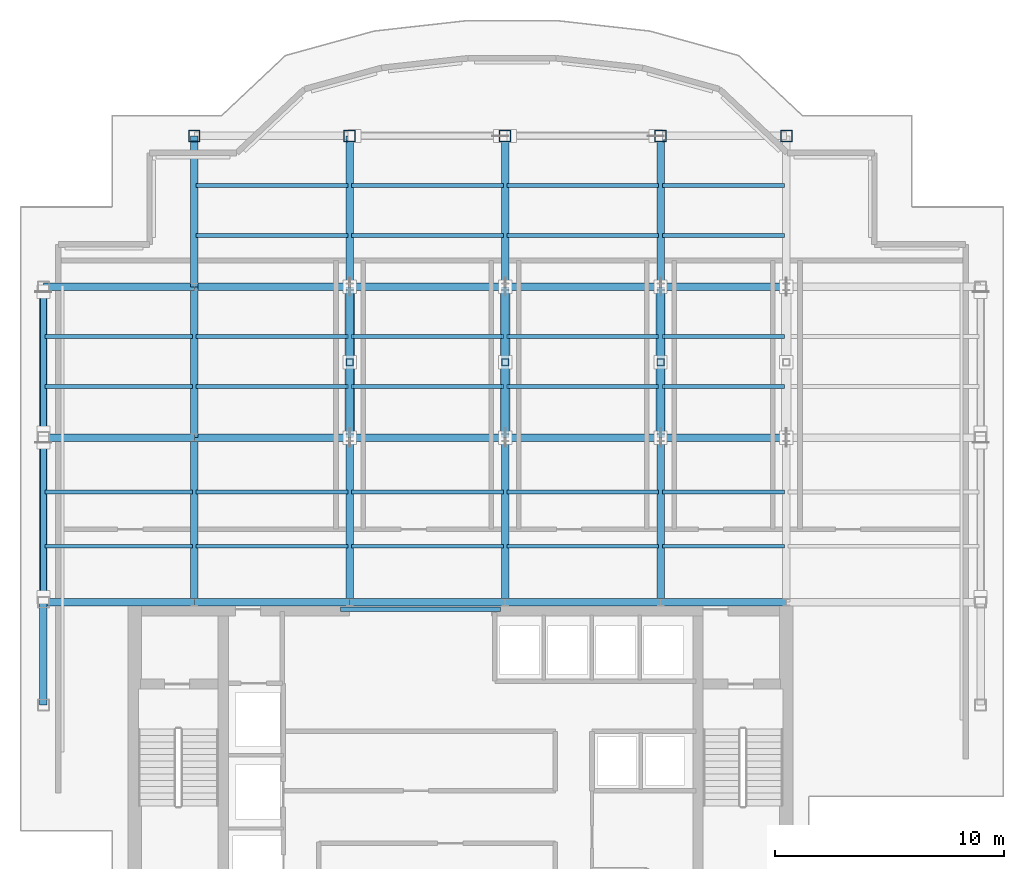
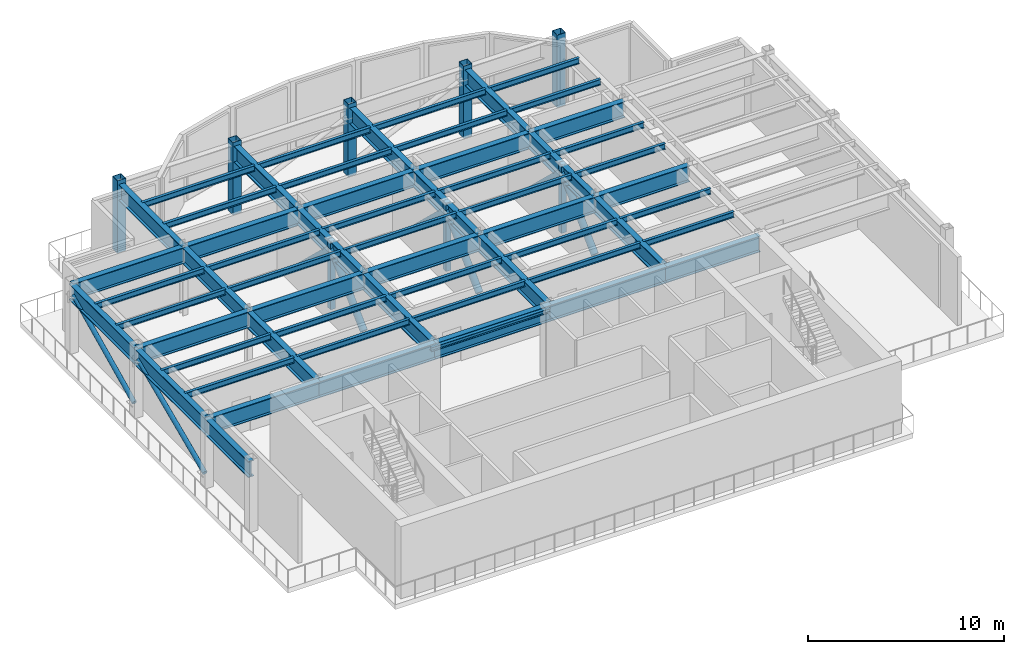
# One storey, part 2 of 7: 59 beams, 11 members, 5 columns.
"""IFC4 building model written with IfcOpenShell, lengths in metres."""

from ifc_helpers import new_model, si_unit, derived_unit, direction, frame, origin, origin_2d, place, context, subcontext, project, spatial, hollow_rectangle, hollow_circle, i_section, extrude, source, transform, mapped, material, material_profile, profile_set, type_object, element, save


model = new_model("IFC4")

# Units and contexts
model_context = context("Model", 3, precision=1e-05, world=origin(), true_north=direction((0.0, 1.0)))
body_context = subcontext(model_context, "Body", "Model", "MODEL_VIEW")
ifc_project = project(units=[si_unit("LENGTHUNIT", "METRE"), si_unit("AREAUNIT", "SQUARE_METRE"), si_unit("VOLUMEUNIT", "CUBIC_METRE"), si_unit("PLANEANGLEUNIT", "RADIAN"), si_unit("MASSUNIT", "GRAM", prefix="KILO"), derived_unit("THERMALTRANSMITTANCEUNIT", [(si_unit("POWERUNIT", "WATT"), 1), (si_unit("LENGTHUNIT", "METRE"), -2), (si_unit("THERMODYNAMICTEMPERATUREUNIT", "KELVIN"), -1)])], contexts=[model_context])

# Site, building, storey
site_placement = place(None, origin())
site = spatial("IfcSite", under=ifc_project, at=site_placement, CompositionType="ELEMENT")
building_placement = place(site_placement, origin())
building = spatial("IfcBuilding", under=site, at=building_placement, Name="Skarnbrae Concourse Arena and Tower", CompositionType="ELEMENT")
storey_placement = place(building_placement, frame((0.0, 0.0, 236.050048828125)))
storey = spatial("IfcBuildingStorey", under=building, at=storey_placement, Name="L61", CompositionType="ELEMENT", Elevation=236.050048828125)

# Columns
ifc_material = material(Name="Steel CSA G40.21 350W", Category="steel")
ifc_material_profile_1 = material_profile(ifc_material, hollow_rectangle(XDim=0.5, YDim=0.5, WallThickness=0.02197265625, at=origin_2d()), Name="HSS500X500X22.0")
ifc_profile_set_1 = profile_set([ifc_material_profile_1], Name="Steel CSA G40.21 350W")
column_type = type_object("IfcColumnType", Name="COL-TUBE-HSS500", PredefinedType="COLUMN", material=ifc_profile_set_1)
shared_shape_1 = source(origin(), body_context, "Body", "SweptSolid", [
    extrude(hollow_rectangle(XDim=0.5, YDim=0.5, WallThickness=0.02197265625, at=origin_2d()), origin(), (0.0, 0.0, 1.0), 4.5),
])
for number, where, z_axis, x_axis, name in (
    (1, (7.60009765625, 34.39990234375, 0.0), (0.0, 0.0, 1.0), (1.0, 0.0, 0.0), "L61 Tower column PC_02_05"),
    (2, (14.39990234375, 34.39990234375, 0.0), (0.0, 0.0, 1.0), (1.0, 0.0, 0.0), "L61 Tower column PC_03_05"),
    (3, (21.199951171875, 34.39990234375, 0.0), (0.0, 0.0, 1.0), (1.0, 0.0, 0.0), "L61 Tower column PC_04_05"),
    (4, (28.0, 34.39990234375, 0.0), (0.0, 0.0, 1.0), (1.0, 0.0, 0.0), "L61 Tower column PC_05_05"),
    (5, (33.5, 34.39990234375, 0.0), (0.0, 0.0, 1.0), (1.0, 0.0, 0.0), "L61 Tower column PC_06_05"),
):
    element("IfcColumn", number, at=place(storey_placement, frame(where, z_axis=z_axis, x_axis=x_axis)), inside=storey, type_object=column_type, Name=name, PredefinedType="COLUMN", context=body_context, shape_type="MappedRepresentation", body=[
        mapped(shared_shape_1, transform((0.0, 0.0, 0.0))),
    ])

# Beams
ifc_material_profile_2 = material_profile(ifc_material, i_section(OverallWidth=0.202880859375, OverallDepth=0.251953125, WebThickness=0.008056640625, FlangeThickness=0.013427734375, at=origin_2d()), Name="W250X58")
ifc_profile_set_2 = profile_set([ifc_material_profile_2], Name="Steel CSA G40.21 350W")
beam_type_1 = type_object("IfcBeamType", Name="BM-LINTEL-W250X58", PredefinedType="LINTEL", material=ifc_profile_set_2)
shared_shape_2 = source(origin(), body_context, "Body", "SweptSolid", [
    extrude(i_section(OverallWidth=0.202880859375, OverallDepth=0.251953125, WebThickness=0.008056640625, FlangeThickness=0.013427734375, at=origin_2d()), origin(), (0.0, 0.0, 1.0), 7.0),
])
beam_1_placement = place(storey_placement, frame((14.0, 13.699951171875, 4.1240234375), z_axis=(1.0, 0.0, 0.0), x_axis=(0.0, 1.0, 0.0)))
element("IfcBeam", 6, at=beam_1_placement, inside=storey, type_object=beam_type_1, Name="L61 Core portal coupling lintel", PredefinedType="LINTEL", context=body_context, shape_type="MappedRepresentation", body=[
    mapped(shared_shape_2, transform((0.0, 0.0, 0.0))),
])
ifc_material_profile_3 = material_profile(ifc_material, i_section(OverallWidth=0.327880859375, OverallDepth=1.0, WebThickness=0.02099609375, FlangeThickness=0.03759765625, at=origin_2d()), Name="W1000X371")
ifc_profile_set_3 = profile_set([ifc_material_profile_3], Name="Steel CSA G40.21 350W")
beam_type_2 = type_object("IfcBeamType", Name="BM-XFER-W1000X371", PredefinedType="BEAM", material=ifc_profile_set_3)
shared_shape_3 = source(origin(), body_context, "Body", "SweptSolid", [
    extrude(i_section(OverallWidth=0.327880859375, OverallDepth=1.0, WebThickness=0.02099609375, FlangeThickness=0.03759765625, at=origin_2d()), origin(), (0.0, 0.0, 1.0), 6.60009765625),
])
for number, where, z_axis, x_axis, name in (
    (7, (1.0, 14.0, 3.75), (1.0, 0.0, 0.0), (0.0, 1.0, 0.0), "L61 Primary E-W girder Y14.0-1"),
    (8, (1.0, 21.199951171875, 3.75), (1.0, 0.0, 0.0), (0.0, 1.0, 0.0), "L61 Primary E-W girder Y21.2-1"),
    (9, (1.0, 27.800048828125, 3.75), (1.0, 0.0, 0.0), (0.0, 1.0, 0.0), "L61 Primary E-W girder Y27.8-1"),
    (10, (1.0, 21.199951171875, 3.75), (0.0, 1.0, 0.0), (-1.0, 0.0, 0.0), "L61 Perimeter spandrel X1.0-3"),
    (11, (7.60009765625, 21.199951171875, 3.75), (0.0, 1.0, 0.0), (-1.0, 0.0, 0.0), "L61 Primary N-S girder X7.6-2"),
    (12, (14.39990234375, 21.199951171875, 3.75), (0.0, 1.0, 0.0), (-1.0, 0.0, 0.0), "L61 Primary N-S girder X14.4-2"),
    (13, (21.199951171875, 21.199951171875, 3.75), (0.0, 1.0, 0.0), (-1.0, 0.0, 0.0), "L61 Primary N-S girder X21.2-2"),
    (14, (28.0, 21.199951171875, 3.75), (0.0, 1.0, 0.0), (-1.0, 0.0, 0.0), "L61 Primary N-S girder X28.0-2"),
):
    element("IfcBeam", number, at=place(storey_placement, frame(where, z_axis=z_axis, x_axis=x_axis)), inside=storey, type_object=beam_type_2, Name=name, PredefinedType="BEAM", context=body_context, shape_type="MappedRepresentation", body=[
        mapped(shared_shape_3, transform((0.0, 0.0, 0.0))),
    ])
shared_shape_4 = source(origin(), body_context, "Body", "SweptSolid", [
    extrude(i_section(OverallWidth=0.327880859375, OverallDepth=1.0, WebThickness=0.02099609375, FlangeThickness=0.03759765625, at=origin_2d()), origin(), (0.0, 0.0, 1.0), 6.7998046875),
])
for number, where, z_axis, x_axis, name in (
    (15, (7.60009765625, 14.0, 3.75), (1.0, 0.0, 0.0), (0.0, 1.0, 0.0), "L61 Primary E-W girder Y14.0-2"),
    (16, (7.60009765625, 21.199951171875, 3.75), (1.0, 0.0, 0.0), (0.0, 1.0, 0.0), "L61 Primary E-W girder Y21.2-2"),
    (17, (7.60009765625, 27.800048828125, 3.75), (1.0, 0.0, 0.0), (0.0, 1.0, 0.0), "L61 Primary E-W girder Y27.8-2"),
):
    element("IfcBeam", number, at=place(storey_placement, frame(where, z_axis=z_axis, x_axis=x_axis)), inside=storey, type_object=beam_type_2, Name=name, PredefinedType="BEAM", context=body_context, shape_type="MappedRepresentation", body=[
        mapped(shared_shape_4, transform((0.0, 0.0, 0.0))),
    ])
shared_shape_5 = source(origin(), body_context, "Body", "SweptSolid", [
    extrude(i_section(OverallWidth=0.327880859375, OverallDepth=1.0, WebThickness=0.02099609375, FlangeThickness=0.03759765625, at=origin_2d()), origin(), (0.0, 0.0, 1.0), 6.800048828125),
])
for number, where, z_axis, x_axis, name in (
    (18, (14.39990234375, 14.0, 3.75), (1.0, 0.0, 0.0), (0.0, 1.0, 0.0), "L61 Primary E-W girder Y14.0-3"),
    (19, (21.199951171875, 14.0, 3.75), (1.0, 0.0, 0.0), (0.0, 1.0, 0.0), "L61 Primary E-W girder Y14.0-4"),
    (20, (14.39990234375, 21.199951171875, 3.75), (1.0, 0.0, 0.0), (0.0, 1.0, 0.0), "L61 Primary E-W girder Y21.2-3"),
    (21, (21.199951171875, 21.199951171875, 3.75), (1.0, 0.0, 0.0), (0.0, 1.0, 0.0), "L61 Primary E-W girder Y21.2-4"),
    (22, (14.39990234375, 27.800048828125, 3.75), (1.0, 0.0, 0.0), (0.0, 1.0, 0.0), "L61 Primary E-W girder Y27.8-3"),
    (23, (21.199951171875, 27.800048828125, 3.75), (1.0, 0.0, 0.0), (0.0, 1.0, 0.0), "L61 Primary E-W girder Y27.8-4"),
):
    element("IfcBeam", number, at=place(storey_placement, frame(where, z_axis=z_axis, x_axis=x_axis)), inside=storey, type_object=beam_type_2, Name=name, PredefinedType="BEAM", context=body_context, shape_type="MappedRepresentation", body=[
        mapped(shared_shape_5, transform((0.0, 0.0, 0.0))),
    ])
shared_shape_6 = source(origin(), body_context, "Body", "SweptSolid", [
    extrude(i_section(OverallWidth=0.327880859375, OverallDepth=1.0, WebThickness=0.02099609375, FlangeThickness=0.03759765625, at=origin_2d()), origin(), (0.0, 0.0, 1.0), 5.5),
])
for number, where, z_axis, x_axis, name in (
    (24, (28.0, 14.0, 3.75), (1.0, 0.0, 0.0), (0.0, 1.0, 0.0), "L61 Primary E-W girder Y14.0-5"),
    (25, (28.0, 21.199951171875, 3.75), (1.0, 0.0, 0.0), (0.0, 1.0, 0.0), "L61 Primary E-W girder Y21.2-5"),
    (26, (28.0, 27.800048828125, 3.75), (1.0, 0.0, 0.0), (0.0, 1.0, 0.0), "L61 Primary E-W girder Y27.8-5"),
):
    element("IfcBeam", number, at=place(storey_placement, frame(where, z_axis=z_axis, x_axis=x_axis)), inside=storey, type_object=beam_type_2, Name=name, PredefinedType="BEAM", context=body_context, shape_type="MappedRepresentation", body=[
        mapped(shared_shape_6, transform((0.0, 0.0, 0.0))),
    ])
shared_shape_7 = source(origin(), body_context, "Body", "SweptSolid", [
    extrude(i_section(OverallWidth=0.327880859375, OverallDepth=1.0, WebThickness=0.02099609375, FlangeThickness=0.03759765625, at=origin_2d()), origin(), (0.0, 0.0, 1.0), 4.5),
])
beam_2_placement = place(storey_placement, frame((1.0, 9.5, 3.75), z_axis=(0.0, 1.0, 0.0), x_axis=(-1.0, 0.0, 0.0)))
element("IfcBeam", 27, at=beam_2_placement, inside=storey, type_object=beam_type_2, Name="L61 Perimeter spandrel X1.0-1", PredefinedType="BEAM", context=body_context, shape_type="MappedRepresentation", body=[
    mapped(shared_shape_7, transform((0.0, 0.0, 0.0))),
])
shared_shape_8 = source(origin(), body_context, "Body", "SweptSolid", [
    extrude(i_section(OverallWidth=0.327880859375, OverallDepth=1.0, WebThickness=0.02099609375, FlangeThickness=0.03759765625, at=origin_2d()), origin(), (0.0, 0.0, 1.0), 7.199951171875),
])
for number, where, z_axis, x_axis, name in (
    (28, (1.0, 14.0, 3.75), (0.0, 1.0, 0.0), (-1.0, 0.0, 0.0), "L61 Perimeter spandrel X1.0-2"),
    (29, (7.60009765625, 14.0, 3.75), (0.0, 1.0, 0.0), (-1.0, 0.0, 0.0), "L61 Primary N-S girder X7.6-1"),
    (30, (14.39990234375, 14.0, 3.75), (0.0, 1.0, 0.0), (-1.0, 0.0, 0.0), "L61 Primary N-S girder X14.4-1"),
    (31, (21.199951171875, 14.0, 3.75), (0.0, 1.0, 0.0), (-1.0, 0.0, 0.0), "L61 Primary N-S girder X21.2-1"),
    (32, (28.0, 14.0, 3.75), (0.0, 1.0, 0.0), (-1.0, 0.0, 0.0), "L61 Primary N-S girder X28.0-1"),
):
    element("IfcBeam", number, at=place(storey_placement, frame(where, z_axis=z_axis, x_axis=x_axis)), inside=storey, type_object=beam_type_2, Name=name, PredefinedType="BEAM", context=body_context, shape_type="MappedRepresentation", body=[
        mapped(shared_shape_8, transform((0.0, 0.0, 0.0))),
    ])
shared_shape_9 = source(origin(), body_context, "Body", "SweptSolid", [
    extrude(i_section(OverallWidth=0.327880859375, OverallDepth=1.0, WebThickness=0.02099609375, FlangeThickness=0.03759765625, at=origin_2d()), origin(), (0.0, 0.0, 1.0), 6.599853515625),
])
for number, where, z_axis, x_axis, name in (
    (33, (7.60009765625, 27.800048828125, 3.75), (0.0, 1.0, 0.0), (-1.0, 0.0, 0.0), "L61 Primary N-S girder X7.6-3"),
    (34, (14.39990234375, 27.800048828125, 3.75), (0.0, 1.0, 0.0), (-1.0, 0.0, 0.0), "L61 Primary N-S girder X14.4-3"),
    (35, (21.199951171875, 27.800048828125, 3.75), (0.0, 1.0, 0.0), (-1.0, 0.0, 0.0), "L61 Primary N-S girder X21.2-3"),
    (36, (28.0, 27.800048828125, 3.75), (0.0, 1.0, 0.0), (-1.0, 0.0, 0.0), "L61 Primary N-S girder X28.0-3"),
):
    element("IfcBeam", number, at=place(storey_placement, frame(where, z_axis=z_axis, x_axis=x_axis)), inside=storey, type_object=beam_type_2, Name=name, PredefinedType="BEAM", context=body_context, shape_type="MappedRepresentation", body=[
        mapped(shared_shape_9, transform((0.0, 0.0, 0.0))),
    ])
ifc_material_profile_4 = material_profile(ifc_material, i_section(OverallWidth=0.1708984375, OverallDepth=0.35498046875, WebThickness=0.007080078125, FlangeThickness=0.01171875, at=origin_2d()), Name="W360X51")
ifc_profile_set_4 = profile_set([ifc_material_profile_4], Name="Steel CSA G40.21 350W")
beam_type_3 = type_object("IfcBeamType", Name="BM-JOIST-W360X51", PredefinedType="JOIST", material=ifc_profile_set_4)
shared_shape_10 = source(origin(), body_context, "Body", "SweptSolid", [
    extrude(i_section(OverallWidth=0.1708984375, OverallDepth=0.35498046875, WebThickness=0.007080078125, FlangeThickness=0.01171875, at=origin_2d()), origin(), (0.0, 0.0, 1.0), 6.43994140625),
])
for number, where, z_axis, x_axis, name in (
    (37, (1.080078125, 16.447998046875, 4.072509765625), (1.0, 0.0, 0.0), (0.0, 1.0, 0.0), "L61 Secondary floor joist 1.1.1"),
    (38, (1.080078125, 18.823974609375, 4.072509765625), (1.0, 0.0, 0.0), (0.0, 1.0, 0.0), "L61 Secondary floor joist 1.2.1"),
    (39, (1.080078125, 23.444091796875, 4.072509765625), (1.0, 0.0, 0.0), (0.0, 1.0, 0.0), "L61 Secondary floor joist 2.1.1"),
    (40, (1.080078125, 25.6220703125, 4.072509765625), (1.0, 0.0, 0.0), (0.0, 1.0, 0.0), "L61 Secondary floor joist 2.2.1"),
):
    element("IfcBeam", number, at=place(storey_placement, frame(where, z_axis=z_axis, x_axis=x_axis)), inside=storey, type_object=beam_type_3, Name=name, PredefinedType="JOIST", context=body_context, shape_type="MappedRepresentation", body=[
        mapped(shared_shape_10, transform((0.0, 0.0, 0.0))),
    ])
shared_shape_11 = source(origin(), body_context, "Body", "SweptSolid", [
    extrude(i_section(OverallWidth=0.1708984375, OverallDepth=0.35498046875, WebThickness=0.007080078125, FlangeThickness=0.01171875, at=origin_2d()), origin(), (0.0, 0.0, 1.0), 6.64013671875),
])
for number, where, z_axis, x_axis, name in (
    (41, (7.679931640625, 16.447998046875, 4.072509765625), (1.0, 0.0, 0.0), (0.0, 1.0, 0.0), "L61 Secondary floor joist 1.1.2"),
    (42, (14.47998046875, 16.447998046875, 4.072509765625), (1.0, 0.0, 0.0), (0.0, 1.0, 0.0), "L61 Secondary floor joist 1.1.3"),
    (43, (7.679931640625, 18.823974609375, 4.072509765625), (1.0, 0.0, 0.0), (0.0, 1.0, 0.0), "L61 Secondary floor joist 1.2.2"),
    (44, (14.47998046875, 18.823974609375, 4.072509765625), (1.0, 0.0, 0.0), (0.0, 1.0, 0.0), "L61 Secondary floor joist 1.2.3"),
    (45, (7.679931640625, 23.444091796875, 4.072509765625), (1.0, 0.0, 0.0), (0.0, 1.0, 0.0), "L61 Secondary floor joist 2.1.2"),
    (46, (14.47998046875, 23.444091796875, 4.072509765625), (1.0, 0.0, 0.0), (0.0, 1.0, 0.0), "L61 Secondary floor joist 2.1.3"),
    (47, (7.679931640625, 25.6220703125, 4.072509765625), (1.0, 0.0, 0.0), (0.0, 1.0, 0.0), "L61 Secondary floor joist 2.2.2"),
    (48, (14.47998046875, 25.6220703125, 4.072509765625), (1.0, 0.0, 0.0), (0.0, 1.0, 0.0), "L61 Secondary floor joist 2.2.3"),
    (49, (7.679931640625, 30.0439453125, 4.072509765625), (1.0, 0.0, 0.0), (0.0, 1.0, 0.0), "L61 Secondary floor joist 3.1.1"),
    (50, (14.47998046875, 30.0439453125, 4.072509765625), (1.0, 0.0, 0.0), (0.0, 1.0, 0.0), "L61 Secondary floor joist 3.1.2"),
    (51, (7.679931640625, 32.221923828125, 4.072509765625), (1.0, 0.0, 0.0), (0.0, 1.0, 0.0), "L61 Secondary floor joist 3.2.1"),
    (52, (14.47998046875, 32.221923828125, 4.072509765625), (1.0, 0.0, 0.0), (0.0, 1.0, 0.0), "L61 Secondary floor joist 3.2.2"),
):
    element("IfcBeam", number, at=place(storey_placement, frame(where, z_axis=z_axis, x_axis=x_axis)), inside=storey, type_object=beam_type_3, Name=name, PredefinedType="JOIST", context=body_context, shape_type="MappedRepresentation", body=[
        mapped(shared_shape_11, transform((0.0, 0.0, 0.0))),
    ])
shared_shape_12 = source(origin(), body_context, "Body", "SweptSolid", [
    extrude(i_section(OverallWidth=0.1708984375, OverallDepth=0.35498046875, WebThickness=0.007080078125, FlangeThickness=0.01171875, at=origin_2d()), origin(), (0.0, 0.0, 1.0), 6.639892578125),
])
for number, where, z_axis, x_axis, name in (
    (53, (21.280029296875, 16.447998046875, 4.072509765625), (1.0, 0.0, 0.0), (0.0, 1.0, 0.0), "L61 Secondary floor joist 1.1.4"),
    (54, (21.280029296875, 18.823974609375, 4.072509765625), (1.0, 0.0, 0.0), (0.0, 1.0, 0.0), "L61 Secondary floor joist 1.2.4"),
    (55, (21.280029296875, 23.444091796875, 4.072509765625), (1.0, 0.0, 0.0), (0.0, 1.0, 0.0), "L61 Secondary floor joist 2.1.4"),
    (56, (21.280029296875, 25.6220703125, 4.072509765625), (1.0, 0.0, 0.0), (0.0, 1.0, 0.0), "L61 Secondary floor joist 2.2.4"),
    (57, (21.280029296875, 30.0439453125, 4.072509765625), (1.0, 0.0, 0.0), (0.0, 1.0, 0.0), "L61 Secondary floor joist 3.1.3"),
    (58, (21.280029296875, 32.221923828125, 4.072509765625), (1.0, 0.0, 0.0), (0.0, 1.0, 0.0), "L61 Secondary floor joist 3.2.3"),
):
    element("IfcBeam", number, at=place(storey_placement, frame(where, z_axis=z_axis, x_axis=x_axis)), inside=storey, type_object=beam_type_3, Name=name, PredefinedType="JOIST", context=body_context, shape_type="MappedRepresentation", body=[
        mapped(shared_shape_12, transform((0.0, 0.0, 0.0))),
    ])
shared_shape_13 = source(origin(), body_context, "Body", "SweptSolid", [
    extrude(i_section(OverallWidth=0.1708984375, OverallDepth=0.35498046875, WebThickness=0.007080078125, FlangeThickness=0.01171875, at=origin_2d()), origin(), (0.0, 0.0, 1.0), 5.33984375),
])
for number, where, z_axis, x_axis, name in (
    (59, (28.080078125, 16.447998046875, 4.072509765625), (1.0, 0.0, 0.0), (0.0, 1.0, 0.0), "L61 Secondary floor joist 1.1.5"),
    (60, (28.080078125, 18.823974609375, 4.072509765625), (1.0, 0.0, 0.0), (0.0, 1.0, 0.0), "L61 Secondary floor joist 1.2.5"),
    (61, (28.080078125, 23.444091796875, 4.072509765625), (1.0, 0.0, 0.0), (0.0, 1.0, 0.0), "L61 Secondary floor joist 2.1.5"),
    (62, (28.080078125, 25.6220703125, 4.072509765625), (1.0, 0.0, 0.0), (0.0, 1.0, 0.0), "L61 Secondary floor joist 2.2.5"),
    (63, (28.080078125, 30.0439453125, 4.072509765625), (1.0, 0.0, 0.0), (0.0, 1.0, 0.0), "L61 Secondary floor joist 3.1.4"),
    (64, (28.080078125, 32.221923828125, 4.072509765625), (1.0, 0.0, 0.0), (0.0, 1.0, 0.0), "L61 Secondary floor joist 3.2.4"),
):
    element("IfcBeam", number, at=place(storey_placement, frame(where, z_axis=z_axis, x_axis=x_axis)), inside=storey, type_object=beam_type_3, Name=name, PredefinedType="JOIST", context=body_context, shape_type="MappedRepresentation", body=[
        mapped(shared_shape_13, transform((0.0, 0.0, 0.0))),
    ])

# Members
ifc_material_profile_5 = material_profile(ifc_material, hollow_circle(Radius=0.203125, WallThickness=0.02197265625, at=origin_2d()), Name="HSS406X22.0")
ifc_profile_set_5 = profile_set([ifc_material_profile_5], Name="Steel CSA G40.21 350W")
member_type_1 = type_object("IfcMemberType", Name="MEM-OUTRIG-CHS406", PredefinedType="BRACE", material=ifc_profile_set_5)
shared_shape_14 = source(origin(), body_context, "Body", "SweptSolid", [
    extrude(hollow_circle(Radius=0.203125, WallThickness=0.02197265625, at=origin_2d()), origin(), (0.0, 0.0, 1.0), 4.56201171875),
])
for number, where, z_axis, x_axis, name in (
    (65, (14.39990234375, 21.199951171875, 0.550048828125), (0.0, 0.723371338309, 0.690459200035), (-1.0, 0.0, 0.0), "L61 Core outrigger trusses diagonal O1.1"),
    (66, (14.39990234375, 24.5, 3.699951171875), (0.0, 0.723371338309, -0.690459200035), (-1.0, 0.0, 0.0), "L61 Core outrigger trusses diagonal O1.2"),
    (67, (21.199951171875, 21.199951171875, 0.550048828125), (0.0, 0.723371338309, 0.690459200035), (-1.0, 0.0, 0.0), "L61 Core outrigger trusses diagonal O2.1"),
    (68, (21.199951171875, 24.5, 3.699951171875), (0.0, 0.723371338309, -0.690459200035), (-1.0, 0.0, 0.0), "L61 Core outrigger trusses diagonal O2.2"),
    (69, (28.0, 21.199951171875, 0.550048828125), (0.0, 0.723371338309, 0.690459200035), (-1.0, 0.0, 0.0), "L61 Core outrigger trusses diagonal O3.1"),
    (70, (28.0, 24.5, 3.699951171875), (0.0, 0.723371338309, -0.690459200035), (-1.0, 0.0, 0.0), "L61 Core outrigger trusses diagonal O3.2"),
):
    element("IfcMember", number, at=place(storey_placement, frame(where, z_axis=z_axis, x_axis=x_axis)), inside=storey, type_object=member_type_1, Name=name, PredefinedType="BRACE", context=body_context, shape_type="MappedRepresentation", body=[
        mapped(shared_shape_14, transform((0.0, 0.0, 0.0))),
    ])
ifc_material_profile_6 = material_profile(ifc_material, hollow_rectangle(XDim=0.3046875, YDim=0.3046875, WallThickness=0.015869140625, at=origin_2d()), Name="HSS305X305X15.9")
ifc_profile_set_6 = profile_set([ifc_material_profile_6], Name="Steel CSA G40.21 350W")
member_type_2 = type_object("IfcMemberType", Name="MEM-POST-HSS305", PredefinedType="POST", material=ifc_profile_set_6)
shared_shape_15 = source(origin(), body_context, "Body", "SweptSolid", [
    extrude(hollow_rectangle(XDim=0.3046875, YDim=0.3046875, WallThickness=0.015869140625, at=origin_2d()), origin(), (0.0, 0.0, 1.0), 4.25),
])
for number, where, z_axis, x_axis, name in (
    (71, (14.39990234375, 24.5, 0.0), (0.0, 0.0, 1.0), (1.0, 0.0, 0.0), "L61 Outrigger truss mid-post O1"),
    (72, (21.199951171875, 24.5, 0.0), (0.0, 0.0, 1.0), (1.0, 0.0, 0.0), "L61 Outrigger truss mid-post O2"),
    (73, (28.0, 24.5, 0.0), (0.0, 0.0, 1.0), (1.0, 0.0, 0.0), "L61 Outrigger truss mid-post O3"),
):
    element("IfcMember", number, at=place(storey_placement, frame(where, z_axis=z_axis, x_axis=x_axis)), inside=storey, type_object=member_type_2, Name=name, PredefinedType="POST", context=body_context, shape_type="MappedRepresentation", body=[
        mapped(shared_shape_15, transform((0.0, 0.0, 0.0))),
    ])
ifc_material_profile_7 = material_profile(ifc_material, hollow_circle(Radius=0.136474609375, WallThickness=0.015869140625, at=origin_2d()), Name="HSS273X15.9")
ifc_profile_set_7 = profile_set([ifc_material_profile_7], Name="Steel CSA G40.21 350W")
member_type_3 = type_object("IfcMemberType", Name="MEM-BELT-CHS273", PredefinedType="BRACE", material=ifc_profile_set_7)
shared_shape_16 = source(origin(), body_context, "Body", "SweptSolid", [
    extrude(hollow_circle(Radius=0.136474609375, WallThickness=0.015869140625, at=origin_2d()), origin(), (0.0, 0.0, 1.0), 7.388916015625),
])
member_1_placement = place(storey_placement, frame((1.0, 14.21533203125, 0.64404296875), z_axis=(0.0, 0.916152026455, 0.400830967394), x_axis=(-1.0, 0.0, 0.0)))
element("IfcMember", 74, at=member_1_placement, inside=storey, type_object=member_type_3, Name="L61 Perimeter belt trusses diagonal B01", PredefinedType="BRACE", context=body_context, shape_type="MappedRepresentation", body=[
    mapped(shared_shape_16, transform((0.0, 0.0, 0.0))),
])
shared_shape_17 = source(origin(), body_context, "Body", "SweptSolid", [
    extrude(hollow_circle(Radius=0.136474609375, WallThickness=0.015869140625, at=origin_2d()), origin(), (0.0, 0.0, 1.0), 6.843017578125),
])
member_2_placement = place(storey_placement, frame((1.0, 21.412109375, 0.651123046875), z_axis=(0.0, 0.902482298553, 0.430726944593), x_axis=(-1.0, 0.0, 0.0)))
element("IfcMember", 75, at=member_2_placement, inside=storey, type_object=member_type_3, Name="L61 Perimeter belt trusses diagonal B02", PredefinedType="BRACE", context=body_context, shape_type="MappedRepresentation", body=[
    mapped(shared_shape_17, transform((0.0, 0.0, 0.0))),
])

save(model, "model.ifc")
